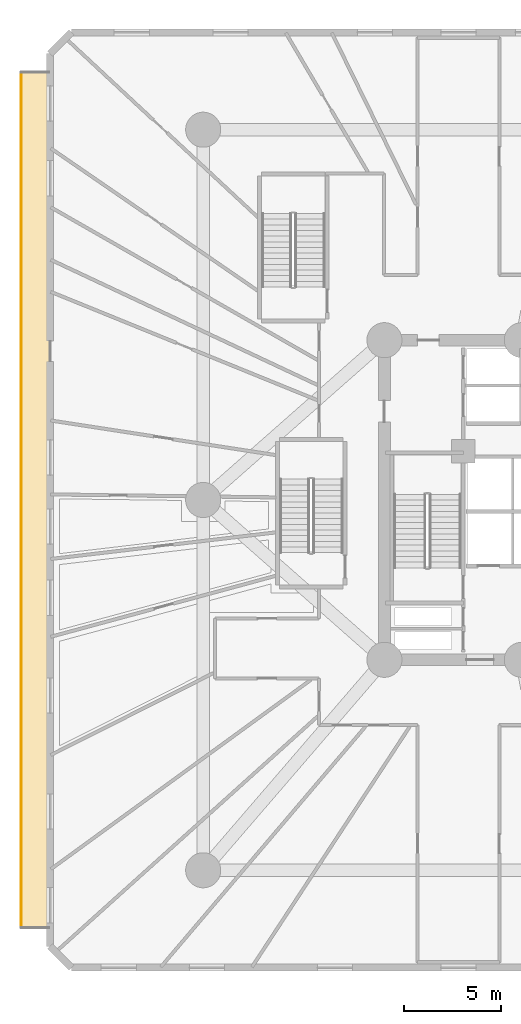
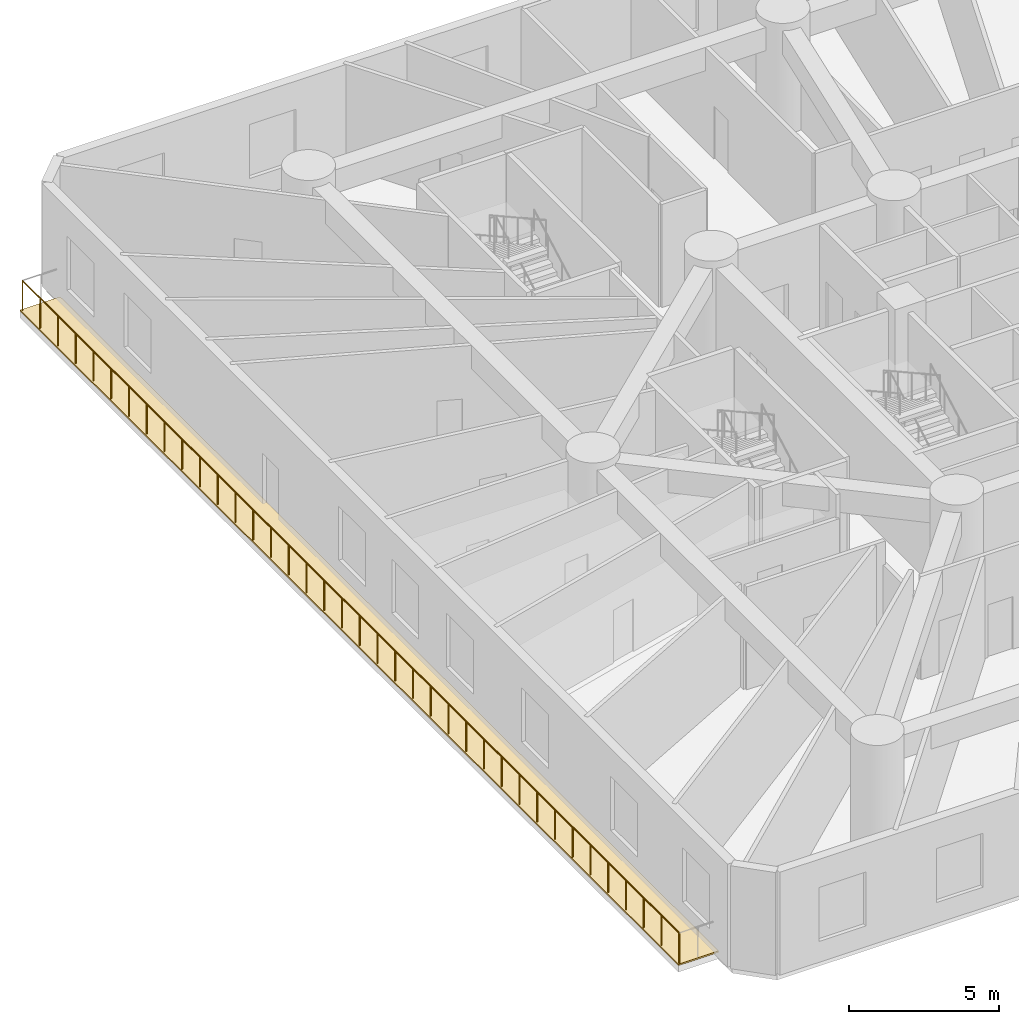
# One storey, part 22 of 26: 1 covering, 1 railing.
"""IFC4 building model written with IfcOpenShell, lengths in metres."""

from ifc_helpers import new_model, si_unit, direction, frame, origin, origin_2d, place, context, subcontext, project, spatial, polyline, circle, outline, extrude, material, layer, layer_set, type_object, element, save


model = new_model("IFC4")

# Units and contexts
model_context = context("Model", 3, precision=1e-05, world=origin(), true_north=direction((0.0, 1.0)))
body_context = subcontext(model_context, "Body", "Model", "MODEL_VIEW")
ifc_project = project(units=[si_unit("LENGTHUNIT", "METRE"), si_unit("AREAUNIT", "SQUARE_METRE"), si_unit("VOLUMEUNIT", "CUBIC_METRE"), si_unit("PLANEANGLEUNIT", "RADIAN"), si_unit("MASSUNIT", "GRAM", prefix="KILO")], contexts=[model_context])

# Site, building, storey
site_placement = place(None, origin())
site = spatial("IfcSite", under=ifc_project, at=site_placement, CompositionType="ELEMENT")
building_placement = place(site_placement, origin())
building = spatial("IfcBuilding", under=site, at=building_placement, Name="Karkom Vertical University and Central Library", CompositionType="ELEMENT")
storey_placement = place(building_placement, frame((0.0, 0.0, 4.5)))
storey = spatial("IfcBuildingStorey", under=building, at=storey_placement, Name="L01", CompositionType="ELEMENT", Elevation=4.5)

# Covering
ifc_material_1 = material(Name="EPDM membrane with Kota stone ballast roofing", Category="masonry")
ifc_layer_1 = layer(ifc_material_1, 0.080078125)
ifc_layer_set_1 = layer_set([ifc_layer_1], Name="EPDM membrane with Kota stone ballast roofing")
covering_type = type_object("IfcCoveringType", Name="ENV-COV-ROOF", PredefinedType="ROOFING", material=ifc_layer_set_1)
covering_placement = place(storey_placement, origin())
element("IfcCovering", 1, at=covering_placement, inside=storey, type_object=covering_type, Name="Level 01 POD Terrace Waterproofing Covering", PredefinedType="ROOFING", context=body_context, shape_type="SweptSolid", body=[
    extrude(outline(polyline([(0.800048828125, 4.5), (2.35009765625, 4.5), (2.35009765625, 48.5), (0.800048828125, 48.5), (0.800048828125, 4.5)])), origin(), (0.0, 0.0, 1.0), 0.06005859375),
])

# Railing
ifc_material_2 = material(Name="Architectural painted steel & laminated glass balustrade", Category="steel")
ifc_layer_2 = layer(ifc_material_2, 0.090087890625)
ifc_layer_set_2 = layer_set([ifc_layer_2], Name="Architectural painted steel & laminated glass balustrade")
railing_type = type_object("IfcRailingType", Name="ENV-RL-BAL1300", PredefinedType="BALUSTRADE", material=ifc_layer_set_2)
railing_placement = place(storey_placement, frame((0.860107421875, 4.56005859375, 0.0)))
element("IfcRailing", 2, at=railing_placement, inside=storey, type_object=railing_type, Name="Level 01 Planted Terrace Safety Balustrade 01", PredefinedType="BALUSTRADE", context=body_context, shape_type="SweptSolid", body=[
    extrude(circle(Radius=0.02392578125, at=origin_2d()), frame((0.0, 0.0, 1.27587890625), z_axis=(0.0, 1.0, 0.0), x_axis=(-1.0, 0.0, 0.0)), (0.0, 0.0, 1.0), 43.8798828125),
    extrude(circle(Radius=0.02099609375, at=origin_2d()), origin(), (0.0, 0.0, 1.0), 1.251953125),
    extrude(circle(Radius=0.02099609375, at=origin_2d()), frame((0.0, 1.18603515625, 0.0)), (0.0, 0.0, 1.0), 1.251953125),
    extrude(circle(Radius=0.02099609375, at=origin_2d()), frame((0.0, 2.371826171875, 0.0)), (0.0, 0.0, 1.0), 1.251953125),
    extrude(circle(Radius=0.02099609375, at=origin_2d()), frame((0.0, 3.557861328125, 0.0)), (0.0, 0.0, 1.0), 1.251953125),
    extrude(circle(Radius=0.02099609375, at=origin_2d()), frame((0.0, 4.74365234375, 0.0)), (0.0, 0.0, 1.0), 1.251953125),
    extrude(circle(Radius=0.02099609375, at=origin_2d()), frame((0.0, 5.9296875, 0.0)), (0.0, 0.0, 1.0), 1.251953125),
    extrude(circle(Radius=0.02099609375, at=origin_2d()), frame((0.0, 7.11572265625, 0.0)), (0.0, 0.0, 1.0), 1.251953125),
    extrude(circle(Radius=0.02099609375, at=origin_2d()), frame((0.0, 8.301513671875, 0.0)), (0.0, 0.0, 1.0), 1.251953125),
    extrude(circle(Radius=0.02099609375, at=origin_2d()), frame((0.0, 9.487548828125, 0.0)), (0.0, 0.0, 1.0), 1.251953125),
    extrude(circle(Radius=0.02099609375, at=origin_2d()), frame((0.0, 10.673583984375, 0.0)), (0.0, 0.0, 1.0), 1.251953125),
    extrude(circle(Radius=0.02099609375, at=origin_2d()), frame((0.0, 11.859375, 0.0)), (0.0, 0.0, 1.0), 1.251953125),
    extrude(circle(Radius=0.02099609375, at=origin_2d()), frame((0.0, 13.04541015625, 0.0)), (0.0, 0.0, 1.0), 1.251953125),
    extrude(circle(Radius=0.02099609375, at=origin_2d()), frame((0.0, 14.231201171875, 0.0)), (0.0, 0.0, 1.0), 1.251953125),
    extrude(circle(Radius=0.02099609375, at=origin_2d()), frame((0.0, 15.417236328125, 0.0)), (0.0, 0.0, 1.0), 1.251953125),
    extrude(circle(Radius=0.02099609375, at=origin_2d()), frame((0.0, 16.603271484375, 0.0)), (0.0, 0.0, 1.0), 1.251953125),
    extrude(circle(Radius=0.02099609375, at=origin_2d()), frame((0.0, 17.7890625, 0.0)), (0.0, 0.0, 1.0), 1.251953125),
    extrude(circle(Radius=0.02099609375, at=origin_2d()), frame((0.0, 18.97509765625, 0.0)), (0.0, 0.0, 1.0), 1.251953125),
    extrude(circle(Radius=0.02099609375, at=origin_2d()), frame((0.0, 20.1611328125, 0.0)), (0.0, 0.0, 1.0), 1.251953125),
    extrude(circle(Radius=0.02099609375, at=origin_2d()), frame((0.0, 21.346923828125, 0.0)), (0.0, 0.0, 1.0), 1.251953125),
    extrude(circle(Radius=0.02099609375, at=origin_2d()), frame((0.0, 22.532958984375, 0.0)), (0.0, 0.0, 1.0), 1.251953125),
    extrude(circle(Radius=0.02099609375, at=origin_2d()), frame((0.0, 23.71875, 0.0)), (0.0, 0.0, 1.0), 1.251953125),
    extrude(circle(Radius=0.02099609375, at=origin_2d()), frame((0.0, 24.90478515625, 0.0)), (0.0, 0.0, 1.0), 1.251953125),
    extrude(circle(Radius=0.02099609375, at=origin_2d()), frame((0.0, 26.0908203125, 0.0)), (0.0, 0.0, 1.0), 1.251953125),
    extrude(circle(Radius=0.02099609375, at=origin_2d()), frame((0.0, 27.276611328125, 0.0)), (0.0, 0.0, 1.0), 1.251953125),
    extrude(circle(Radius=0.02099609375, at=origin_2d()), frame((0.0, 28.462646484375, 0.0)), (0.0, 0.0, 1.0), 1.251953125),
    extrude(circle(Radius=0.02099609375, at=origin_2d()), frame((0.0, 29.648681640625, 0.0)), (0.0, 0.0, 1.0), 1.251953125),
    extrude(circle(Radius=0.02099609375, at=origin_2d()), frame((0.0, 30.83447265625, 0.0)), (0.0, 0.0, 1.0), 1.251953125),
    extrude(circle(Radius=0.02099609375, at=origin_2d()), frame((0.0, 32.0205078125, 0.0)), (0.0, 0.0, 1.0), 1.251953125),
    extrude(circle(Radius=0.02099609375, at=origin_2d()), frame((0.0, 33.206298828125, 0.0)), (0.0, 0.0, 1.0), 1.251953125),
    extrude(circle(Radius=0.02099609375, at=origin_2d()), frame((0.0, 34.392333984375, 0.0)), (0.0, 0.0, 1.0), 1.251953125),
    extrude(circle(Radius=0.02099609375, at=origin_2d()), frame((0.0, 35.578369140625, 0.0)), (0.0, 0.0, 1.0), 1.251953125),
    extrude(circle(Radius=0.02099609375, at=origin_2d()), frame((0.0, 36.76416015625, 0.0)), (0.0, 0.0, 1.0), 1.251953125),
    extrude(circle(Radius=0.02099609375, at=origin_2d()), frame((0.0, 37.9501953125, 0.0)), (0.0, 0.0, 1.0), 1.251953125),
    extrude(circle(Radius=0.02099609375, at=origin_2d()), frame((0.0, 39.13623046875, 0.0)), (0.0, 0.0, 1.0), 1.251953125),
    extrude(circle(Radius=0.02099609375, at=origin_2d()), frame((0.0, 40.322021484375, 0.0)), (0.0, 0.0, 1.0), 1.251953125),
    extrude(circle(Radius=0.02099609375, at=origin_2d()), frame((0.0, 41.508056640625, 0.0)), (0.0, 0.0, 1.0), 1.251953125),
    extrude(circle(Radius=0.02099609375, at=origin_2d()), frame((0.0, 42.69384765625, 0.0)), (0.0, 0.0, 1.0), 1.251953125),
    extrude(circle(Radius=0.02099609375, at=origin_2d()), frame((0.0, 43.8798828125, 0.0)), (0.0, 0.0, 1.0), 1.251953125),
])

save(model, "model.ifc")
